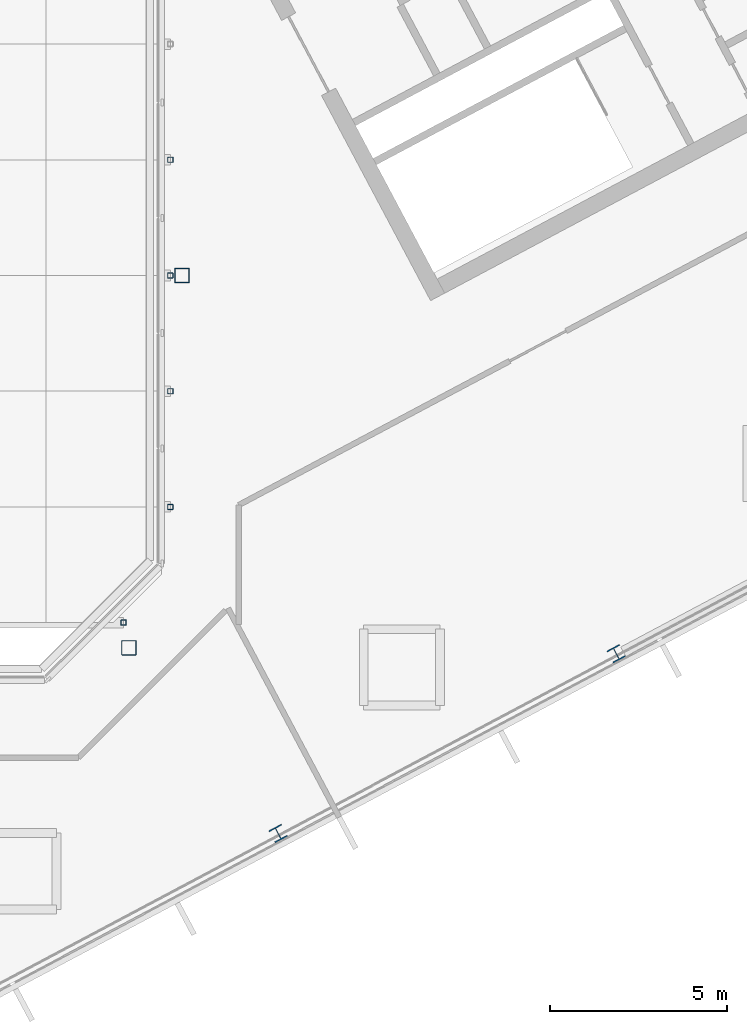
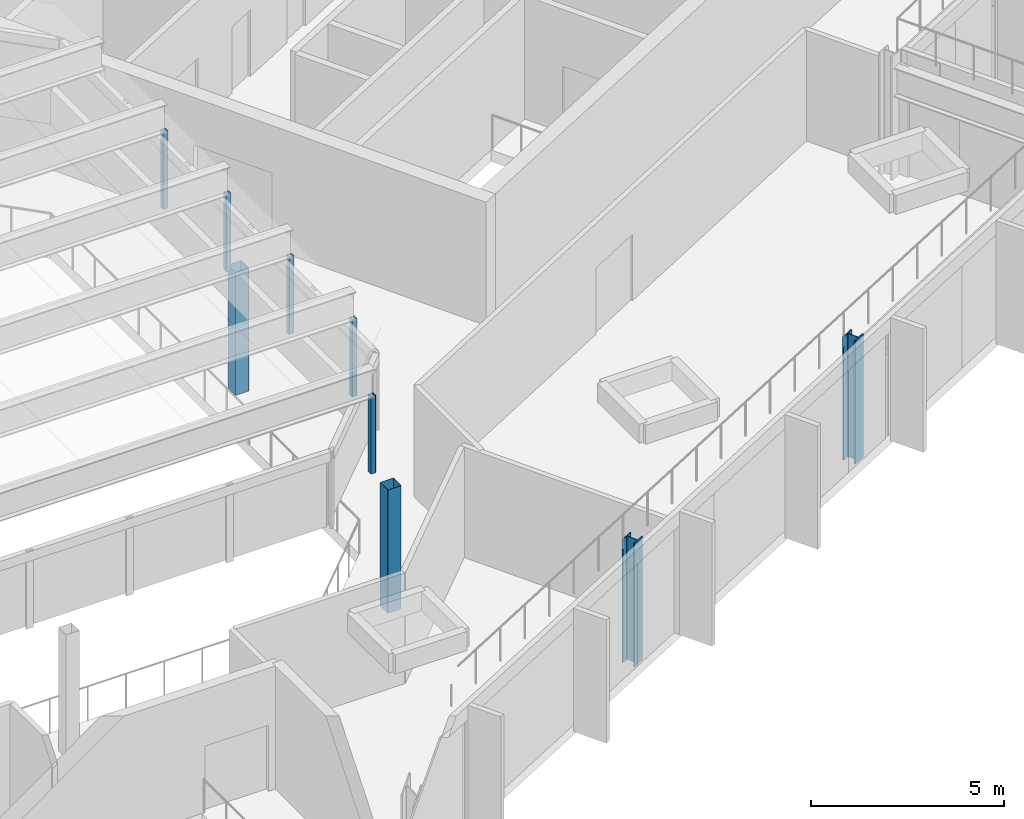
# One storey, part 6 of 35: 9 columns.
"""IFC4 building model written with IfcOpenShell, lengths in metres."""

import ifcopenshell
import ifcopenshell.guid

model = None  # the IFC model being written
_history = None  # IfcOwnerHistory: only IFC2X3 demands one
_inside = {}  # id of a spatial element -> (the spatial element, [elements in it])
_under = {}  # id of a project, library or spatial element -> (it, [spatial elements below it])
_declared = {}  # id of a project -> (the project, [libraries it declares])
_typed = {}  # id of a type object -> (the type object, [elements of that type])
_made_of = {}  # id of a material, layer set ... -> (it, [elements and type objects made of it])


def new_model(schema):
    """Start an empty IFC model of exactly this schema.

    Asked for "IFC4X3", IfcOpenShell would pick the latest addendum, in which some entities
    have other attributes; the version numbers below select the first issue.
    IFC2X3 requires an IfcOwnerHistory on every rooted entity: one is made here for all.
    """
    global model, _history
    if schema == "IFC4X3":
        model = ifcopenshell.file(schema_version=(4, 3, 0, 0))
    else:
        model = ifcopenshell.file(schema=schema)
    _inside.clear()
    _under.clear()
    _declared.clear()
    _typed.clear()
    _made_of.clear()
    _history = None
    if model.schema == "IFC2X3":
        org = make("IfcOrganization", Name="unknown")
        user = make(
            "IfcPersonAndOrganization",
            ThePerson=make("IfcPerson", FamilyName="unknown"),
            TheOrganization=org,
        )
        app = make(
            "IfcApplication",
            ApplicationDeveloper=org,
            Version="unknown",
            ApplicationFullName="unknown",
            ApplicationIdentifier="unknown",
        )
        _history = make(
            "IfcOwnerHistory",
            OwningUser=user,
            OwningApplication=app,
            ChangeAction="ADDED",
            CreationDate=0,
        )
    return model


def make(cls, **values):
    """One entity of the class cls with the attributes given. An attribute that is None is left unset."""
    return model.create_entity(
        cls, **{name: value for name, value in values.items() if value is not None}
    )


def rooted(cls, **values):
    """An entity with a GlobalId (a new one), such as an element, a storey or a relation."""
    return make(cls, GlobalId=ifcopenshell.guid.new(), OwnerHistory=_history, **values)


def si_unit(unit_type, name, prefix=None):
    """IfcSIUnit, for example si_unit("LENGTHUNIT", "METRE", prefix="MILLI")."""
    return make("IfcSIUnit", UnitType=unit_type, Prefix=prefix, Name=name)


def assignment(units):
    """IfcUnitAssignment: the units of a project."""
    return None if units is None else make("IfcUnitAssignment", Units=units)


def point(xyz):
    """IfcCartesianPoint."""
    return None if xyz is None else make("IfcCartesianPoint", Coordinates=xyz)


def direction(xyz):
    """IfcDirection."""
    return None if xyz is None else make("IfcDirection", DirectionRatios=xyz)


def frame(location, z_axis=None, x_axis=None):
    """IfcAxis2Placement3D, a coordinate frame: its origin and axes. An axis left out is left unset."""
    return make(
        "IfcAxis2Placement3D",
        Location=point(location),
        Axis=direction(z_axis),
        RefDirection=direction(x_axis),
    )


def frame_2d(location, x_axis=None):
    """IfcAxis2Placement2D, a coordinate frame in the plane: its origin and x axis."""
    return make(
        "IfcAxis2Placement2D", Location=point(location), RefDirection=direction(x_axis)
    )


def origin():
    """The frame at (0, 0, 0) with its axes left unset."""
    return frame((0.0, 0.0, 0.0))


def origin_2d():
    """The frame at (0, 0) in the plane with its x axis left unset."""
    return frame_2d((0.0, 0.0))


def place(relative_to, where):
    """IfcLocalPlacement: puts the frame where relative to a parent placement (None: the world)."""
    return make(
        "IfcLocalPlacement", PlacementRelTo=relative_to, RelativePlacement=where
    )


def context(
    kind, dimensions, precision=None, world=None, true_north=None, identifier=None
):
    """IfcGeometricRepresentationContext, for example the 3D "Model" context."""
    return make(
        "IfcGeometricRepresentationContext",
        ContextIdentifier=identifier,
        ContextType=kind,
        CoordinateSpaceDimension=dimensions,
        Precision=precision,
        WorldCoordinateSystem=world,
        TrueNorth=true_north,
    )


def subcontext(parent, identifier, kind, view, scale=None):
    """IfcGeometricRepresentationSubContext, for example "Body" below "Model"."""
    return make(
        "IfcGeometricRepresentationSubContext",
        ContextIdentifier=identifier,
        ContextType=kind,
        ParentContext=parent,
        TargetScale=scale,
        TargetView=view,
    )


def project(units=None, contexts=None):
    """IfcProject with its units and contexts."""
    return rooted(
        "IfcProject",
        Name="project",
        RepresentationContexts=contexts,
        UnitsInContext=assignment(units),
    )


def spatial(cls, under=None, at=None, **own):
    """A site, building, storey or space (cls), placed at a placement, below another one or the project."""
    s = rooted(cls, ObjectPlacement=at, **own)
    if under is not None:
        _under.setdefault(under.id(), (under, []))[1].append(s)
    return s


def profile(cls, at=None, kind="AREA", **sizes):
    """A parametric profile (cls). Its sizes go by their IFC names, for example OverallWidth=200.0."""
    return make(cls, ProfileType=kind, Position=at, **sizes)


def hollow_rectangle(**sizes):
    """IfcRectangleHollowProfileDef."""
    return profile("IfcRectangleHollowProfileDef", **sizes)


def i_section(**sizes):
    """IfcIShapeProfileDef."""
    return profile("IfcIShapeProfileDef", **sizes)


def extrude(swept, where, along, depth):
    """IfcExtrudedAreaSolid: the profile swept, set in the frame where, extruded along a direction by depth."""
    return make(
        "IfcExtrudedAreaSolid",
        SweptArea=swept,
        Position=where,
        ExtrudedDirection=direction(along),
        Depth=depth,
    )


def shape(context_of_items, identifier, shape_type, items):
    """IfcShapeRepresentation: the items that make up one representation, for example the "Body"."""
    return make(
        "IfcShapeRepresentation",
        ContextOfItems=context_of_items,
        RepresentationIdentifier=identifier,
        RepresentationType=shape_type,
        Items=items,
    )


def material(Name=None, Category=None):
    """IfcMaterial."""
    return make("IfcMaterial", Name=Name, Category=Category)


def material_profile(
    of_material, cross_section, Name=None, Category=None, Priority=None
):
    """IfcMaterialProfile: a cross section and its material."""
    return make(
        "IfcMaterialProfile",
        Name=Name,
        Material=of_material,
        Profile=cross_section,
        Priority=Priority,
        Category=Category,
    )


def profile_set(profiles, Name=None, composite=None):
    """IfcMaterialProfileSet."""
    return make(
        "IfcMaterialProfileSet",
        Name=Name,
        MaterialProfiles=profiles,
        CompositeProfile=composite,
    )


def made_of(thing, what):
    """Note that an element or type object is made of a material, layer set ...; save() writes the relation."""
    if what is not None:
        _made_of.setdefault(what.id(), (what, []))[1].append(thing)
    return thing


def type_object(cls, material=None, **own):
    """A type object (cls), such as IfcWallType, which elements share."""
    return made_of(rooted(cls, **own), material)


def element(
    cls,
    number,
    at=None,
    inside=None,
    cuts=None,
    type_object=None,
    material=None,
    context=None,
    identifier="Body",
    shape_type=None,
    held_by="IfcProductDefinitionShape",
    body=None,
    shapes=None,
    **own,
):
    """One element of the class cls, such as IfcWall. Its Tag is "e" and its number.

    at: its placement. inside: the storey or other place that contains it. cuts: it is an
    opening in that element (IfcRelVoidsElement). A single representation is given by context,
    identifier, shape_type and body (its items); several are given by shapes. held_by: the class
    of the entity that holds the representations. save() writes the other relations.
    """
    e = rooted(cls, Tag="e%d" % number, ObjectPlacement=at, **own)
    if body is not None:
        shapes = [shape(context, identifier, shape_type, body)]
    if shapes is not None:
        e.Representation = make(held_by, Representations=shapes)
    if inside is not None:
        _inside.setdefault(inside.id(), (inside, []))[1].append(e)
    if cuts is not None:
        rooted(
            "IfcRelVoidsElement", RelatingBuildingElement=cuts, RelatedOpeningElement=e
        )
    if type_object is not None:
        _typed.setdefault(type_object.id(), (type_object, []))[1].append(e)
    return made_of(e, material)


def aggregate(whole, parts):
    """IfcRelAggregates: a whole, such as a stair, and the parts it consists of."""
    return rooted("IfcRelAggregates", RelatingObject=whole, RelatedObjects=parts)


def save(model, path):
    """Write the relations noted so far, then the file.

    IfcRelAggregates (storeys below a building ...), IfcRelContainedInSpatialStructure (elements
    in a storey), IfcRelDefinesByType, IfcRelAssociatesMaterial and IfcRelDeclares: one each for
    every whole, place, type object, material and project.
    """
    for whole, parts in _under.values():
        aggregate(whole, parts)
    for where, things in _inside.values():
        rooted(
            "IfcRelContainedInSpatialStructure",
            RelatedElements=things,
            RelatingStructure=where,
        )
    for kind, things in _typed.values():
        rooted("IfcRelDefinesByType", RelatedObjects=things, RelatingType=kind)
    for what, things in _made_of.values():
        rooted("IfcRelAssociatesMaterial", RelatedObjects=things, RelatingMaterial=what)
    for by, libraries in _declared.values():
        rooted("IfcRelDeclares", RelatingContext=by, RelatedDefinitions=libraries)
    model.write(path)


model = new_model("IFC4")

# Units and contexts
model_context = context("Model", 3, precision=1e-05, world=origin(), true_north=direction((0.0, 1.0)))
body_context = subcontext(model_context, "Body", "Model", "MODEL_VIEW")
ifc_project = project(units=[si_unit("LENGTHUNIT", "METRE"), si_unit("AREAUNIT", "SQUARE_METRE"), si_unit("VOLUMEUNIT", "CUBIC_METRE"), si_unit("PLANEANGLEUNIT", "RADIAN"), si_unit("MASSUNIT", "GRAM", prefix="KILO")], contexts=[model_context])

# Site, building, storey
site_placement = place(None, origin())
site = spatial("IfcSite", under=ifc_project, at=site_placement, CompositionType="ELEMENT")
building_placement = place(site_placement, origin())
building = spatial("IfcBuilding", under=site, at=building_placement, Name="Cormorant Relay Tower", CompositionType="ELEMENT")
storey_placement = place(building_placement, frame((0.0, 0.0, 324.300048828125)))
storey = spatial("IfcBuildingStorey", under=building, at=storey_placement, Name="L74", CompositionType="ELEMENT", Elevation=324.300048828125)

# Columns
ifc_material_1 = material(Name="Steel ASTM A500 Grade C (Fy 345 MPa)", Category="steel")
ifc_material_profile_1 = material_profile(ifc_material_1, hollow_rectangle(XDim=0.14990234375, YDim=0.14990234375, WallThickness=0.008056640625, InnerFilletRadius=0.00390625, OuterFilletRadius=0.011962890625, at=origin_2d()), Name="RHS150x150x8")
ifc_profile_set_1 = profile_set([ifc_material_profile_1], Name="Steel ASTM A500 Grade C (Fy 345 MPa)")
column_type_1 = type_object("IfcColumnType", Name="CW5 lantern post RHS 150 x 150", PredefinedType="COLUMN", material=ifc_profile_set_1)
for number, where, z_axis, x_axis, name in (
    (1, (10.351318359375, -9.78857421875, 3.89990234375), (0.0, 0.0, 1.0), (1.0, 0.0, 0.0), "CW5 lantern post 2"),
    (2, (11.669921875, -6.525634765625, 3.89990234375), (0.0, 0.0, 1.0), (1.0, 0.0, 0.0), "CW5 lantern post 4"),
    (3, (11.669921875, -3.262939453125, 3.89990234375), (0.0, 0.0, 1.0), (1.0, 0.0, 0.0), "CW5 lantern post 6"),
    (4, (11.669921875, 0.0, 3.89990234375), (0.0, 0.0, 1.0), (1.0, 0.0, 0.0), "CW5 lantern post 8"),
    (5, (11.669921875, 3.262939453125, 3.89990234375), (0.0, 0.0, 1.0), (1.0, 0.0, 0.0), "CW5 lantern post 10"),
):
    element("IfcColumn", number, at=place(storey_placement, frame(where, z_axis=z_axis, x_axis=x_axis)), inside=storey, type_object=column_type_1, Name=name, PredefinedType="COLUMN", context=body_context, shape_type="SweptSolid", body=[
        extrude(hollow_rectangle(XDim=0.14990234375, YDim=0.14990234375, WallThickness=0.008056640625, InnerFilletRadius=0.00390625, OuterFilletRadius=0.011962890625, at=origin_2d()), origin(), (0.0, 0.0, 1.0), 2.449951171875),
    ])
ifc_material_2 = material(Name="Steel ASTM A500 Grade C (Fy 345 MPa)", Category="steel")
ifc_material_profile_2 = material_profile(ifc_material_2, hollow_rectangle(XDim=0.406494140625, YDim=0.406494140625, WallThickness=0.0087890625, InnerFilletRadius=0.00439453125, OuterFilletRadius=0.01318359375, at=origin_2d()), Name="HSS406x406x9")
ifc_profile_set_2 = profile_set([ifc_material_profile_2], Name="Steel ASTM A500 Grade C (Fy 345 MPa)")
column_type_2 = type_object("IfcColumnType", Name="Column HSS406x406x9", PredefinedType="COLUMN", material=ifc_profile_set_2)
for number, where, z_axis, x_axis, name in (
    (6, (10.5, -10.5, 0.0), (0.0, 0.0, 1.0), (1.0, 0.0, 0.0), "Column L74-010"),
    (7, (12.0, 0.0, 0.0), (0.0, 0.0, 1.0), (1.0, 0.0, 0.0), "Column L74-016"),
):
    element("IfcColumn", number, at=place(storey_placement, frame(where, z_axis=z_axis, x_axis=x_axis)), inside=storey, type_object=column_type_2, Name=name, PredefinedType="COLUMN", context=body_context, shape_type="SweptSolid", body=[
        extrude(hollow_rectangle(XDim=0.406494140625, YDim=0.406494140625, WallThickness=0.0087890625, InnerFilletRadius=0.00439453125, OuterFilletRadius=0.01318359375, at=origin_2d()), origin(), (0.0, 0.0, 1.0), 3.89990234375),
    ])
ifc_material_3 = material(Name="Steel ASTM A992 (Fy 345 MPa)", Category="steel")
ifc_material_profile_3 = material_profile(ifc_material_3, i_section(OverallWidth=0.398681640625, OverallDepth=0.385986328125, WebThickness=0.02099609375, FlangeThickness=0.033203125, FilletRadius=0.01513671875, at=origin_2d()), Name="W360x262")
ifc_profile_set_3 = profile_set([ifc_material_profile_3], Name="Steel ASTM A992 (Fy 345 MPa)")
column_type_3 = type_object("IfcColumnType", Name="Column W360x262", PredefinedType="COLUMN", material=ifc_profile_set_3)
for number, where, z_axis, x_axis, name in (
    (8, (14.7099609375, -15.736083984375, 0.0), (0.0, 0.0, 1.0), (0.882947592859, 0.469471562786, 0.0), "Column L74-005"),
    (9, (24.2451171875, -10.666015625, 0.0), (0.0, 0.0, 1.0), (0.882947592859, 0.469471562786, 0.0), "Column L74-008"),
):
    element("IfcColumn", number, at=place(storey_placement, frame(where, z_axis=z_axis, x_axis=x_axis)), inside=storey, type_object=column_type_3, Name=name, PredefinedType="COLUMN", context=body_context, shape_type="SweptSolid", body=[
        extrude(i_section(OverallWidth=0.398681640625, OverallDepth=0.385986328125, WebThickness=0.02099609375, FlangeThickness=0.033203125, FilletRadius=0.01513671875, at=origin_2d()), origin(), (0.0, 0.0, 1.0), 3.89990234375),
    ])

save(model, "model.ifc")
